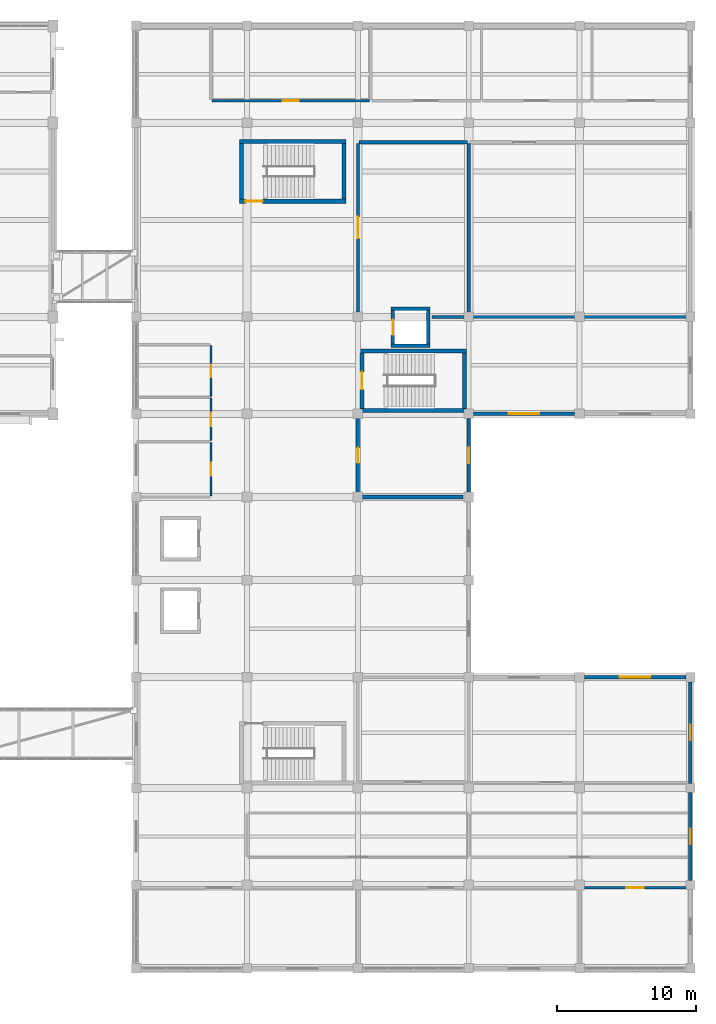
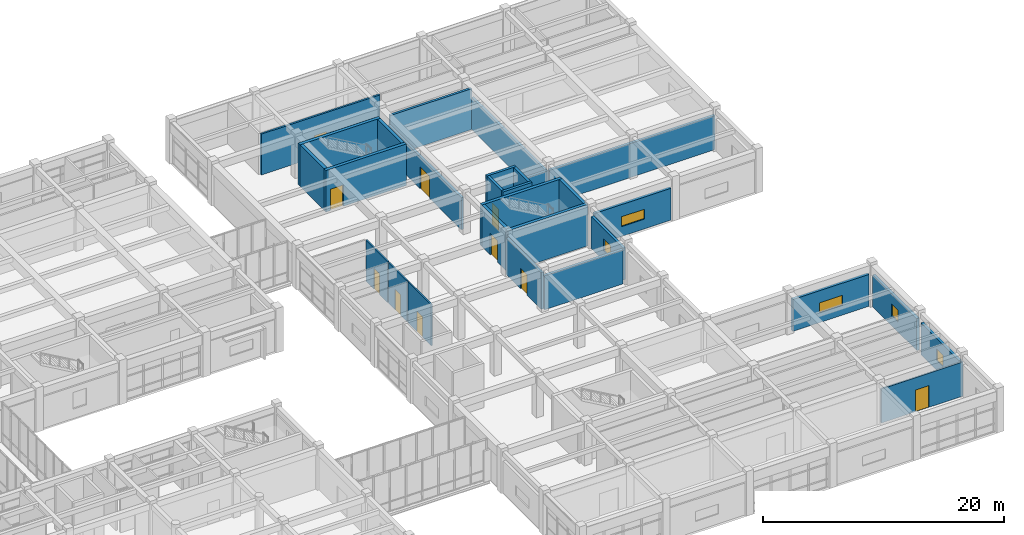
# One storey, part 56 of 72: 29 walls, 10 doors, 5 windows, 15 openings.
"""IFC4 building model written with IfcOpenShell, lengths in metres."""

from ifc_helpers import new_model, si_unit, direction, frame, frame_2d, origin, place, context, subcontext, project, spatial, rectangle, extrude, material, layer, layer_set, type_object, element, fill, save


model = new_model("IFC4")

# Units and contexts
model_context = context("Model", 3, precision=1e-05, world=origin(), true_north=direction((0.0, 1.0)))
body_context = subcontext(model_context, "Body", "Model", "MODEL_VIEW")
ifc_project = project(units=[si_unit("LENGTHUNIT", "METRE"), si_unit("AREAUNIT", "SQUARE_METRE"), si_unit("VOLUMEUNIT", "CUBIC_METRE"), si_unit("PLANEANGLEUNIT", "RADIAN"), si_unit("MASSUNIT", "GRAM", prefix="KILO")], contexts=[model_context])

# Site, building, storey
site_placement = place(None, origin())
site = spatial("IfcSite", under=ifc_project, at=site_placement, CompositionType="ELEMENT")
building_placement = place(site_placement, origin())
building = spatial("IfcBuilding", under=site, at=building_placement, Name="Naurynzar Civic Courthouse", CompositionType="ELEMENT")
storey_placement = place(building_placement, frame((0.0, 0.0, 9.89990234375)))
storey = spatial("IfcBuildingStorey", under=building, at=storey_placement, Name="L03", CompositionType="ELEMENT", Elevation=9.89990234375)

# Walls
ifc_material_1 = material(Name="Acoustic Double-Stud Gypsum Partition")
ifc_layer_1 = layer(ifc_material_1, 0.22998046875)
ifc_layer_set_1 = layer_set([ifc_layer_1], Name="WL-ACOUSTIC-230")
wall_type_1 = type_object("IfcWallType", Name="WL-ACOUSTIC-230", PredefinedType="PARTITIONING", material=ifc_layer_set_1)
wall_1_placement = place(storey_placement, frame((151.35009765625, 51.0, 0.0), z_axis=(0.0, 0.0, 1.0), x_axis=(1.0, 0.0, 0.0)))
element("IfcWall", 1, at=wall_1_placement, inside=storey, type_object=wall_type_1, Name="V5 interior partition L03.358", PredefinedType="PARTITIONING", context=body_context, shape_type="SweptSolid", body=[
    extrude(rectangle(XDim=2.56982421875, YDim=0.22998046875, at=frame_2d((1.284912109375, 0.0))), origin(), (0.0, 0.0, 1.0), 3.4501953125),
])
wall_2_placement = place(storey_placement, frame((146.080078125, 63.60009765625, 0.0), z_axis=(0.0, 0.0, 1.0), x_axis=(1.0, 0.0, 0.0)))
element("IfcWall", 2, at=wall_2_placement, inside=storey, type_object=wall_type_1, Name="V5 interior partition L03.360", PredefinedType="PARTITIONING", context=body_context, shape_type="SweptSolid", body=[
    extrude(rectangle(XDim=7.83984375, YDim=0.22998046875, at=frame_2d((3.919921875, 0.0))), origin(), (0.0, 0.0, 1.0), 4.14013671875),
])

# Wall, opening, door
wall_3_placement = place(storey_placement, frame((146.0, 51.35009765625, 0.0), z_axis=(0.0, 0.0, 1.0), x_axis=(0.0, 1.0, 0.0)))
wall_3 = element("IfcWall", 3, at=wall_3_placement, inside=storey, type_object=wall_type_1, Name="V5 interior partition L03.429", PredefinedType="PARTITIONING", context=body_context, shape_type="SweptSolid", body=[
    extrude(rectangle(XDim=12.169921875, YDim=0.22998046875, at=frame_2d((6.0849609375, 0.0))), origin(), (0.0, 0.0, 1.0), 3.25),
])
opening_1_placement = place(wall_3_placement, frame((5.31005859375, 0.0, 0.0)))
opening_1 = element("IfcOpeningElement", 4, at=opening_1_placement, cuts=wall_3, Name="Opening D-313", PredefinedType="OPENING", context=body_context, shape_type="SweptSolid", body=[
    extrude(rectangle(XDim=1.550048828125, YDim=2.25, at=frame_2d((0.77490234375, 1.125))), frame((0.0, 0.125, 0.0), z_axis=(0.0, -1.0, 0.0), x_axis=(1.0, 0.0, 0.0)), (0.0, 0.0, 1.0), 0.25),
])
ifc_material_2 = material(Name="Acoustic Oak Timber Grade A", Category="wood")
door_type_1 = type_object("IfcDoorType", Name="DR-SUITE-1550x2250", OperationType="DOUBLE_DOOR_SINGLE_SWING", PredefinedType="DOOR", material=ifc_material_2)
door_1_placement = place(opening_1_placement, origin())
door_1 = element("IfcDoor", 5, at=door_1_placement, inside=storey, type_object=door_type_1, Name="Interior door D-313 (Criminal Trial Courtroom L03-N1)", OperationType="DOUBLE_DOOR_SINGLE_SWING", OverallHeight=2.25, OverallWidth=1.550048828125, PredefinedType="DOOR", context=body_context, shape_type="SweptSolid", body=[
    extrude(rectangle(XDim=1.550048828125, YDim=2.25, at=frame_2d((0.77490234375, 1.125))), frame((0.0, 0.02490234375, 0.0), z_axis=(0.0, -1.0, 0.0), x_axis=(1.0, 0.0, 0.0)), (0.0, 0.0, 1.0), 0.050048828125),
])
fill(opening_1, door_1)

# Walls
ifc_material_3 = material(Name="Acoustic Double-Stud Gypsum Partition")
ifc_layer_2 = layer(ifc_material_3, 0.235107421875)
ifc_layer_set_2 = layer_set([ifc_layer_2], Name="WL-ACOUSTIC-235")
wall_type_2 = type_object("IfcWallType", Name="WL-ACOUSTIC-235", PredefinedType="PARTITIONING", material=ifc_layer_set_2)
wall_4_placement = place(storey_placement, frame((154.080078125, 51.0, 0.0), z_axis=(0.0, 0.0, 1.0), x_axis=(1.0, 0.0, 0.0)))
element("IfcWall", 6, at=wall_4_placement, inside=storey, type_object=wall_type_2, Name="V5 interior partition L03.359", PredefinedType="PARTITIONING", context=body_context, shape_type="SweptSolid", body=[
    extrude(rectangle(XDim=15.83984375, YDim=0.235107421875, at=frame_2d((7.919921875, 0.0))), origin(), (0.0, 0.0, 1.0), 3.4501953125),
])
wall_5_placement = place(storey_placement, frame((154.0, 51.080078125, 0.0), z_axis=(0.0, 0.0, 1.0), x_axis=(0.0, 1.0, 0.0)))
element("IfcWall", 7, at=wall_5_placement, inside=storey, type_object=wall_type_2, Name="V5 interior partition L03.433", PredefinedType="PARTITIONING", context=body_context, shape_type="SweptSolid", body=[
    extrude(rectangle(XDim=12.43994140625, YDim=0.235107421875, at=frame_2d((6.219970703125, 0.0))), origin(), (0.0, 0.0, 1.0), 3.25),
])
ifc_material_4 = material(Name="Concrete C40/50", Category="concrete")
ifc_layer_3 = layer(ifc_material_4, 0.300048828125)
ifc_layer_set_3 = layer_set([ifc_layer_3], Name="WL-CORE-300")
wall_type_3 = type_object("IfcWallType", Name="WL-CORE-300", PredefinedType="SHEAR", material=ifc_layer_set_3)
wall_6_placement = place(storey_placement, frame((145.14990234375, 63.64990234375, 0.0), z_axis=(0.0, 0.0, 1.0), x_axis=(-1.0, 0.0, 0.0)))
element("IfcWall", 8, at=wall_6_placement, inside=storey, type_object=wall_type_3, Name="Stair ST-V5B enclosure wall north L03", PredefinedType="SHEAR", context=body_context, shape_type="SweptSolid", body=[
    extrude(rectangle(XDim=7.699951171875, YDim=0.300048828125, at=frame_2d((3.85009765625, 0.0))), origin(), (0.0, 0.0, 1.0), 4.2001953125),
])

# Wall, opening, door
wall_7_placement = place(storey_placement, frame((137.449951171875, 59.35009765625, 0.0), z_axis=(0.0, 0.0, 1.0), x_axis=(1.0, 0.0, 0.0)))
wall_7 = element("IfcWall", 9, at=wall_7_placement, inside=storey, type_object=wall_type_3, Name="Stair ST-V5B enclosure wall south L03", PredefinedType="SHEAR", context=body_context, shape_type="SweptSolid", body=[
    extrude(rectangle(XDim=7.699951171875, YDim=0.300048828125, at=frame_2d((3.85009765625, 0.0))), origin(), (0.0, 0.0, 1.0), 4.2001953125),
])
opening_2_placement = place(wall_7_placement, frame((0.425048828125, 0.0, 0.0)))
opening_2 = element("IfcOpeningElement", 10, at=opening_2_placement, cuts=wall_7, Name="Opening SD-071", PredefinedType="OPENING", context=body_context, shape_type="SweptSolid", body=[
    extrude(rectangle(XDim=1.25, YDim=2.14990234375, at=frame_2d((0.625, 1.074951171875))), frame((0.0, 0.159912109375, 0.0), z_axis=(0.0, -1.0, 0.0), x_axis=(1.0, 0.0, 0.0)), (0.0, 0.0, 1.0), 0.320068359375),
])
ifc_material_5 = material(Name="Powder-Coated Galvanised Steel", Category="steel")
door_type_2 = type_object("IfcDoorType", Name="DR-STAIR-1250x2150", OperationType="NOTDEFINED", PredefinedType="DOOR", material=ifc_material_5)
door_2_placement = place(opening_2_placement, origin())
door_2 = element("IfcDoor", 11, at=door_2_placement, inside=storey, type_object=door_type_2, Name="Stair ST-V5B fire door L03", OperationType="SINGLE_SWING_LEFT", OverallHeight=2.14990234375, OverallWidth=1.25, PredefinedType="DOOR", context=body_context, shape_type="SweptSolid", body=[
    extrude(rectangle(XDim=1.25, YDim=2.14990234375, at=frame_2d((0.625, 1.074951171875))), frame((0.0, 0.02490234375, 0.0), z_axis=(0.0, -1.0, 0.0), x_axis=(1.0, 0.0, 0.0)), (0.0, 0.0, 1.0), 0.050048828125),
])
fill(opening_2, door_2)

# Walls
for number, where, z_axis, x_axis, name in (
    (12, (137.60009765625, 63.4951171875, 0.0), (0.0, 0.0, 1.0), (0.0, -1.0, 0.0), "Stair ST-V5B enclosure wall west L03"),
    (13, (145.0, 59.5048828125, 0.0), (0.0, 0.0, 1.0), (0.0, 1.0, 0.0), "Stair ST-V5B enclosure wall east L03"),
):
    element("IfcWall", number, at=place(storey_placement, frame(where, z_axis=z_axis, x_axis=x_axis)), inside=storey, type_object=wall_type_3, Name=name, PredefinedType="SHEAR", context=body_context, shape_type="SweptSolid", body=[
        extrude(rectangle(XDim=3.990234375, YDim=0.300048828125, at=frame_2d((1.9951171875, 0.0))), origin(), (0.0, 0.0, 1.0), 4.2001953125),
    ])
for number, where, z_axis, x_axis, name in (
    (14, (153.85009765625, 48.550048828125, 0.0), (0.0, 0.0, 1.0), (-1.0, 0.0, 0.0), "Stair ST-CUS enclosure wall north L03"),
    (15, (146.14990234375, 44.25, 0.0), (0.0, 0.0, 1.0), (1.0, 0.0, 0.0), "Stair ST-CUS enclosure wall south L03"),
):
    element("IfcWall", number, at=place(storey_placement, frame(where, z_axis=z_axis, x_axis=x_axis)), inside=storey, type_object=wall_type_3, Name=name, PredefinedType="SHEAR", context=body_context, shape_type="SweptSolid", body=[
        extrude(rectangle(XDim=7.7001953125, YDim=0.300048828125, at=frame_2d((3.85009765625, 0.0))), origin(), (0.0, 0.0, 1.0), 4.2001953125),
    ])

# Wall, opening, door
wall_8_placement = place(storey_placement, frame((146.300048828125, 48.39501953125, 0.0), z_axis=(0.0, 0.0, 1.0), x_axis=(0.0, -1.0, 0.0)))
wall_8 = element("IfcWall", 16, at=wall_8_placement, inside=storey, type_object=wall_type_3, Name="Stair ST-CUS enclosure wall west L03", PredefinedType="SHEAR", context=body_context, shape_type="SweptSolid", body=[
    extrude(rectangle(XDim=3.989990234375, YDim=0.300048828125, at=frame_2d((1.9951171875, 0.0))), origin(), (0.0, 0.0, 1.0), 4.2001953125),
])
opening_3_placement = place(wall_8_placement, frame((1.3701171875, 0.0, 0.0)))
opening_3 = element("IfcOpeningElement", 17, at=opening_3_placement, cuts=wall_8, Name="Opening SD-080", PredefinedType="OPENING", context=body_context, shape_type="SweptSolid", body=[
    extrude(rectangle(XDim=1.25, YDim=2.14990234375, at=frame_2d((0.625, 1.074951171875))), frame((0.0, 0.159912109375, 0.0), z_axis=(0.0, -1.0, 0.0), x_axis=(1.0, 0.0, 0.0)), (0.0, 0.0, 1.0), 0.320068359375),
])
door_3_placement = place(opening_3_placement, origin())
door_3 = element("IfcDoor", 18, at=door_3_placement, inside=storey, type_object=door_type_2, Name="Stair ST-CUS fire door L03", OperationType="SINGLE_SWING_RIGHT", OverallHeight=2.14990234375, OverallWidth=1.25, PredefinedType="DOOR", context=body_context, shape_type="SweptSolid", body=[
    extrude(rectangle(XDim=1.25, YDim=2.14990234375, at=frame_2d((0.625, 1.074951171875))), frame((0.0, 0.02490234375, 0.0), z_axis=(0.0, -1.0, 0.0), x_axis=(1.0, 0.0, 0.0)), (0.0, 0.0, 1.0), 0.050048828125),
])
fill(opening_3, door_3)

# Walls
wall_9_placement = place(storey_placement, frame((153.699951171875, 44.405029296875, 0.0), z_axis=(0.0, 0.0, 1.0), x_axis=(0.0, 1.0, 0.0)))
element("IfcWall", 19, at=wall_9_placement, inside=storey, type_object=wall_type_3, Name="Stair ST-CUS enclosure wall east L03", PredefinedType="SHEAR", context=body_context, shape_type="SweptSolid", body=[
    extrude(rectangle(XDim=3.989990234375, YDim=0.300048828125, at=frame_2d((1.9951171875, 0.0))), origin(), (0.0, 0.0, 1.0), 4.2001953125),
])
ifc_material_6 = material(Name="Concrete C40/50", Category="concrete")
ifc_layer_4 = layer(ifc_material_6, 0.260009765625)
ifc_layer_set_4 = layer_set([ifc_layer_4], Name="WL-CUS-260")
wall_type_4 = type_object("IfcWallType", Name="WL-CUS-260", PredefinedType="SOLIDWALL", material=ifc_layer_set_4)
wall_10_placement = place(storey_placement, frame((146.080078125, 38.0, 0.0), z_axis=(0.0, 0.0, 1.0), x_axis=(1.0, 0.0, 0.0)))
element("IfcWall", 20, at=wall_10_placement, inside=storey, type_object=wall_type_4, Name="V5 interior partition L03.339", PredefinedType="SOLIDWALL", context=body_context, shape_type="SweptSolid", body=[
    extrude(rectangle(XDim=7.52001953125, YDim=0.260009765625, at=frame_2d((3.760009765625, 0.0))), origin(), (0.0, 0.0, 1.0), 3.4501953125),
])

# Wall, opening, door
wall_11_placement = place(storey_placement, frame((146.0, 38.080078125, 0.0), z_axis=(0.0, 0.0, 1.0), x_axis=(0.0, 1.0, 0.0)))
wall_11 = element("IfcWall", 21, at=wall_11_placement, inside=storey, type_object=wall_type_4, Name="V5 interior partition L03.428", PredefinedType="SOLIDWALL", context=body_context, shape_type="SweptSolid", body=[
    extrude(rectangle(XDim=5.83984375, YDim=0.260009765625, at=frame_2d((2.919921875, 0.0))), origin(), (0.0, 0.0, 1.0), 3.7001953125),
])
opening_4_placement = place(wall_11_placement, frame((2.3798828125, 0.0, 0.0)))
opening_4 = element("IfcOpeningElement", 22, at=opening_4_placement, cuts=wall_11, Name="Opening D-312", PredefinedType="OPENING", context=body_context, shape_type="SweptSolid", body=[
    extrude(rectangle(XDim=1.080078125, YDim=2.10009765625, at=frame_2d((0.5400390625, 1.050048828125))), frame((0.0, 0.139892578125, 0.0), z_axis=(0.0, -1.0, 0.0), x_axis=(1.0, 0.0, 0.0)), (0.0, 0.0, 1.0), 0.280029296875),
])
ifc_material_7 = material(Name="Powder-Coated Galvanised Steel", Category="steel")
door_type_3 = type_object("IfcDoorType", Name="DR-CUS-CELL-1080x2100", OperationType="NOTDEFINED", PredefinedType="DOOR", material=ifc_material_7)
door_4_placement = place(opening_4_placement, origin())
door_4 = element("IfcDoor", 23, at=door_4_placement, inside=storey, type_object=door_type_3, Name="Interior door D-312 (Custody Suite Courtroom Dock L03)", OperationType="SINGLE_SWING_RIGHT", OverallHeight=2.10009765625, OverallWidth=1.080078125, PredefinedType="DOOR", context=body_context, shape_type="SweptSolid", body=[
    extrude(rectangle(XDim=1.080078125, YDim=2.10009765625, at=frame_2d((0.5400390625, 1.050048828125))), frame((0.0, 0.02490234375, 0.0), z_axis=(0.0, -1.0, 0.0), x_axis=(1.0, 0.0, 0.0)), (0.0, 0.0, 1.0), 0.050048828125),
])
fill(opening_4, door_4)

# Wall, opening, window
ifc_material_8 = material(Name="Precast concrete C40/50", Category="concrete")
ifc_layer_5 = layer(ifc_material_8, 0.260009765625)
ifc_layer_set_5 = layer_set([ifc_layer_5], Name="WL-EXT-260")
wall_type_5 = type_object("IfcWallType", Name="WL-EXT-260", PredefinedType="SOLIDWALL", material=ifc_layer_set_5)
wall_12_placement = place(storey_placement, frame((161.64990234375, 44.0, 0.0), z_axis=(0.0, 0.0, 1.0), x_axis=(-1.0, 0.0, 0.0)))
wall_12 = element("IfcWall", 24, at=wall_12_placement, inside=storey, type_object=wall_type_5, Name="V5 exterior wall notch_n L03.2.1", PredefinedType="SOLIDWALL", context=body_context, shape_type="SweptSolid", body=[
    extrude(rectangle(XDim=7.2998046875, YDim=0.260009765625, at=frame_2d((3.64990234375, 0.0))), origin(), (0.0, 0.0, 1.0), 3.22998046875),
])
opening_5_placement = place(wall_12_placement, frame((2.550048828125, 0.0, 1.0)))
opening_5 = element("IfcOpeningElement", 25, at=opening_5_placement, cuts=wall_12, Name="Opening WN-18", PredefinedType="OPENING", context=body_context, shape_type="SweptSolid", body=[
    extrude(rectangle(XDim=2.199951171875, YDim=1.0, at=frame_2d((1.10009765625, 0.5))), frame((0.0, 0.139892578125, 0.0), z_axis=(0.0, -1.0, 0.0), x_axis=(1.0, 0.0, 0.0)), (0.0, 0.0, 1.0), 0.280029296875),
])
ifc_material_9 = material(Name="Tempered Laminated Low-E Glass", Category="glass")
window_type_1 = type_object("IfcWindowType", Name="WIN-CLER-2200x1000", PartitioningType="DOUBLE_PANEL_VERTICAL", PredefinedType="WINDOW", material=ifc_material_9)
window_1_placement = place(opening_5_placement, origin())
window_1 = element("IfcWindow", 26, at=window_1_placement, inside=storey, type_object=window_type_1, Name="V5 window 289 L03", OverallHeight=1.0, OverallWidth=2.199951171875, PartitioningType="SINGLE_PANEL", PredefinedType="WINDOW", context=body_context, shape_type="SweptSolid", body=[
    extrude(rectangle(XDim=2.199951171875, YDim=1.0, at=frame_2d((1.10009765625, 0.5))), frame((0.0, 0.030029296875, 0.0), z_axis=(0.0, -1.0, 0.0), x_axis=(1.0, 0.0, 0.0)), (0.0, 0.0, 1.0), 0.06005859375),
])
fill(opening_5, window_1)

wall_13_placement = place(storey_placement, frame((154.0, 43.64990234375, 0.0), z_axis=(0.0, 0.0, 1.0), x_axis=(0.0, -1.0, 0.0)))
wall_13 = element("IfcWall", 27, at=wall_13_placement, inside=storey, type_object=wall_type_5, Name="V5 exterior wall notch_w L03.1.1", PredefinedType="SOLIDWALL", context=body_context, shape_type="SweptSolid", body=[
    extrude(rectangle(XDim=5.2998046875, YDim=0.260009765625, at=frame_2d((2.64990234375, 0.0))), origin(), (0.0, 0.0, 1.0), 3.22998046875),
])
opening_6_placement = place(wall_13_placement, frame((2.10009765625, 0.0, 1.0)))
opening_6 = element("IfcOpeningElement", 28, at=opening_6_placement, cuts=wall_13, Name="Opening WN-15", PredefinedType="OPENING", context=body_context, shape_type="SweptSolid", body=[
    extrude(rectangle(XDim=1.10009765625, YDim=1.199951171875, at=frame_2d((0.550048828125, 0.60009765625))), frame((0.0, 0.139892578125, 0.0), z_axis=(0.0, -1.0, 0.0), x_axis=(1.0, 0.0, 0.0)), (0.0, 0.0, 1.0), 0.280029296875),
])
ifc_material_10 = material(Name="Tempered Laminated Low-E Glass", Category="glass")
window_type_2 = type_object("IfcWindowType", Name="WIN-SEC-1100x1200", PartitioningType="SINGLE_PANEL", PredefinedType="WINDOW", material=ifc_material_10)
window_2_placement = place(opening_6_placement, origin())
window_2 = element("IfcWindow", 29, at=window_2_placement, inside=storey, type_object=window_type_2, Name="V5 window 290 L03", OverallHeight=1.199951171875, OverallWidth=1.10009765625, PartitioningType="SINGLE_PANEL", PredefinedType="WINDOW", context=body_context, shape_type="SweptSolid", body=[
    extrude(rectangle(XDim=1.10009765625, YDim=1.199951171875, at=frame_2d((0.550048828125, 0.60009765625))), frame((0.0, 0.030029296875, 0.0), z_axis=(0.0, -1.0, 0.0), x_axis=(1.0, 0.0, 0.0)), (0.0, 0.0, 1.0), 0.06005859375),
])
fill(opening_6, window_2)

wall_14_placement = place(storey_placement, frame((162.35009765625, 25.0, 0.0), z_axis=(0.0, 0.0, 1.0), x_axis=(1.0, 0.0, 0.0)))
wall_14 = element("IfcWall", 30, at=wall_14_placement, inside=storey, type_object=wall_type_5, Name="V5 exterior wall notch_s L03.2.1", PredefinedType="SOLIDWALL", context=body_context, shape_type="SweptSolid", body=[
    extrude(rectangle(XDim=7.3125, YDim=0.260009765625, at=frame_2d((3.65625, 0.0))), origin(), (0.0, 0.0, 1.0), 3.22998046875),
])
opening_7_placement = place(wall_14_placement, frame((2.55615234375, 0.0, 1.0)))
opening_7 = element("IfcOpeningElement", 31, at=opening_7_placement, cuts=wall_14, Name="Opening WN-18", PredefinedType="OPENING", context=body_context, shape_type="SweptSolid", body=[
    extrude(rectangle(XDim=2.199951171875, YDim=1.0, at=frame_2d((1.10009765625, 0.5))), frame((0.0, 0.139892578125, 0.0), z_axis=(0.0, -1.0, 0.0), x_axis=(1.0, 0.0, 0.0)), (0.0, 0.0, 1.0), 0.280029296875),
])
window_3_placement = place(opening_7_placement, origin())
window_3 = element("IfcWindow", 32, at=window_3_placement, inside=storey, type_object=window_type_1, Name="V5 window 294 L03", OverallHeight=1.0, OverallWidth=2.199951171875, PartitioningType="SINGLE_PANEL", PredefinedType="WINDOW", context=body_context, shape_type="SweptSolid", body=[
    extrude(rectangle(XDim=2.199951171875, YDim=1.0, at=frame_2d((1.10009765625, 0.5))), frame((0.0, 0.030029296875, 0.0), z_axis=(0.0, -1.0, 0.0), x_axis=(1.0, 0.0, 0.0)), (0.0, 0.0, 1.0), 0.06005859375),
])
fill(opening_7, window_3)

wall_15_placement = place(storey_placement, frame((170.0, 24.66259765625, 0.0), z_axis=(0.0, 0.0, 1.0), x_axis=(0.0, -1.0, 0.0)))
wall_15 = element("IfcWall", 33, at=wall_15_placement, inside=storey, type_object=wall_type_5, Name="V5 exterior wall east_south L03.1.1", PredefinedType="SOLIDWALL", context=body_context, shape_type="SweptSolid", body=[
    extrude(rectangle(XDim=7.3251953125, YDim=0.260009765625, at=frame_2d((3.66259765625, 0.0))), origin(), (0.0, 0.0, 1.0), 3.22998046875),
])
opening_8_placement = place(wall_15_placement, frame((3.112548828125, 0.0, 1.0)))
opening_8 = element("IfcOpeningElement", 34, at=opening_8_placement, cuts=wall_15, Name="Opening WN-15", PredefinedType="OPENING", context=body_context, shape_type="SweptSolid", body=[
    extrude(rectangle(XDim=1.10009765625, YDim=1.199951171875, at=frame_2d((0.550048828125, 0.60009765625))), frame((0.0, 0.139892578125, 0.0), z_axis=(0.0, -1.0, 0.0), x_axis=(1.0, 0.0, 0.0)), (0.0, 0.0, 1.0), 0.280029296875),
])
window_4_placement = place(opening_8_placement, origin())
window_4 = element("IfcWindow", 35, at=window_4_placement, inside=storey, type_object=window_type_2, Name="V5 window 295 L03", OverallHeight=1.199951171875, OverallWidth=1.10009765625, PartitioningType="SINGLE_PANEL", PredefinedType="WINDOW", context=body_context, shape_type="SweptSolid", body=[
    extrude(rectangle(XDim=1.10009765625, YDim=1.199951171875, at=frame_2d((0.550048828125, 0.60009765625))), frame((0.0, 0.030029296875, 0.0), z_axis=(0.0, -1.0, 0.0), x_axis=(1.0, 0.0, 0.0)), (0.0, 0.0, 1.0), 0.06005859375),
])
fill(opening_8, window_4)

wall_16_placement = place(storey_placement, frame((170.0, 16.66259765625, 0.0), z_axis=(0.0, 0.0, 1.0), x_axis=(0.0, -1.0, 0.0)))
wall_16 = element("IfcWall", 36, at=wall_16_placement, inside=storey, type_object=wall_type_5, Name="V5 exterior wall east_south L03.2.1", PredefinedType="SOLIDWALL", context=body_context, shape_type="SweptSolid", body=[
    extrude(rectangle(XDim=6.3251953125, YDim=0.260009765625, at=frame_2d((3.16259765625, 0.0))), origin(), (0.0, 0.0, 1.0), 3.22998046875),
])
opening_9_placement = place(wall_16_placement, frame((2.612548828125, 0.0, 1.0)))
opening_9 = element("IfcOpeningElement", 37, at=opening_9_placement, cuts=wall_16, Name="Opening WN-15", PredefinedType="OPENING", context=body_context, shape_type="SweptSolid", body=[
    extrude(rectangle(XDim=1.10009765625, YDim=1.199951171875, at=frame_2d((0.550048828125, 0.60009765625))), frame((0.0, 0.139892578125, 0.0), z_axis=(0.0, -1.0, 0.0), x_axis=(1.0, 0.0, 0.0)), (0.0, 0.0, 1.0), 0.280029296875),
])
window_5_placement = place(opening_9_placement, origin())
window_5 = element("IfcWindow", 38, at=window_5_placement, inside=storey, type_object=window_type_2, Name="V5 window 296 L03", OverallHeight=1.199951171875, OverallWidth=1.10009765625, PartitioningType="SINGLE_PANEL", PredefinedType="WINDOW", context=body_context, shape_type="SweptSolid", body=[
    extrude(rectangle(XDim=1.10009765625, YDim=1.199951171875, at=frame_2d((0.550048828125, 0.60009765625))), frame((0.0, 0.030029296875, 0.0), z_axis=(0.0, -1.0, 0.0), x_axis=(1.0, 0.0, 0.0)), (0.0, 0.0, 1.0), 0.06005859375),
])
fill(opening_9, window_5)

# Wall, opening, door
ifc_material_11 = material(Name="Fire-Rated Corridor Gypsum Partition")
ifc_layer_6 = layer(ifc_material_11, 0.14990234375)
ifc_layer_set_6 = layer_set([ifc_layer_6], Name="WL-PART-CORR-150")
wall_type_6 = type_object("IfcWallType", Name="WL-PART-CORR-150", PredefinedType="PARTITIONING", material=ifc_layer_set_6)
wall_17_placement = place(storey_placement, frame((162.080078125, 9.800048828125, 0.0), z_axis=(0.0, 0.0, 1.0), x_axis=(1.0, 0.0, 0.0)))
wall_17 = element("IfcWall", 39, at=wall_17_placement, inside=storey, type_object=wall_type_6, Name="V5 interior partition L03.312", PredefinedType="PARTITIONING", context=body_context, shape_type="SweptSolid", body=[
    extrude(rectangle(XDim=7.83984375, YDim=0.14990234375, at=frame_2d((3.919921875, 0.0))), origin(), (0.0, 0.0, 1.0), 3.4501953125),
])
opening_10_placement = place(wall_17_placement, frame((3.280029296875, 0.0, 0.0)))
opening_10 = element("IfcOpeningElement", 40, at=opening_10_placement, cuts=wall_17, Name="Opening D-307", PredefinedType="OPENING", context=body_context, shape_type="SweptSolid", body=[
    extrude(rectangle(XDim=1.280029296875, YDim=2.199951171875, at=frame_2d((0.64013671875, 1.10009765625))), frame((0.0, 0.0849609375, 0.0), z_axis=(0.0, -1.0, 0.0), x_axis=(1.0, 0.0, 0.0)), (0.0, 0.0, 1.0), 0.169921875),
])
ifc_material_12 = material(Name="Acoustic Oak Timber Grade A", Category="wood")
door_type_4 = type_object("IfcDoorType", Name="DR-SUITE-1280x2200", OperationType="NOTDEFINED", PredefinedType="DOOR", material=ifc_material_12)
door_5_placement = place(opening_10_placement, origin())
door_5 = element("IfcDoor", 41, at=door_5_placement, inside=storey, type_object=door_type_4, Name="Interior door D-307 (Counsel Consultation Room L03-SE)", OperationType="SINGLE_SWING_LEFT", OverallHeight=2.199951171875, OverallWidth=1.280029296875, PredefinedType="DOOR", context=body_context, shape_type="SweptSolid", body=[
    extrude(rectangle(XDim=1.280029296875, YDim=2.199951171875, at=frame_2d((0.64013671875, 1.10009765625))), frame((0.0, 0.02490234375, 0.0), z_axis=(0.0, -1.0, 0.0), x_axis=(1.0, 0.0, 0.0)), (0.0, 0.0, 1.0), 0.050048828125),
])
fill(opening_10, door_5)

ifc_material_13 = material(Name="Acoustic Double-Stud Gypsum Partition")
ifc_layer_7 = layer(ifc_material_13, 0.179931640625)
ifc_layer_set_7 = layer_set([ifc_layer_7], Name="WL-PART-JURY-180")
wall_type_7 = type_object("IfcWallType", Name="WL-PART-JURY-180", PredefinedType="PARTITIONING", material=ifc_layer_set_7)
wall_18_placement = place(storey_placement, frame((135.47998046875, 66.60009765625, 0.0), z_axis=(0.0, 0.0, 1.0), x_axis=(1.0, 0.0, 0.0)))
wall_18 = element("IfcWall", 42, at=wall_18_placement, inside=storey, type_object=wall_type_7, Name="V5 interior partition L03.368", PredefinedType="PARTITIONING", context=body_context, shape_type="SweptSolid", body=[
    extrude(rectangle(XDim=11.3701171875, YDim=0.179931640625, at=frame_2d((5.68505859375, 0.0))), origin(), (0.0, 0.0, 1.0), 4.14013671875),
])
opening_11_placement = place(wall_18_placement, frame((5.110107421875, 0.0, 0.0)))
opening_11 = element("IfcOpeningElement", 43, at=opening_11_placement, cuts=wall_18, Name="Opening D-315", PredefinedType="OPENING", context=body_context, shape_type="SweptSolid", body=[
    extrude(rectangle(XDim=1.14990234375, YDim=2.199951171875, at=frame_2d((0.574951171875, 1.10009765625))), frame((0.0, 0.099853515625, 0.0), z_axis=(0.0, -1.0, 0.0), x_axis=(1.0, 0.0, 0.0)), (0.0, 0.0, 1.0), 0.199951171875),
])
ifc_material_14 = material(Name="Acoustic Oak Timber Grade A", Category="wood")
door_type_5 = type_object("IfcDoorType", Name="DR-JURY-1150x2200", OperationType="NOTDEFINED", PredefinedType="DOOR", material=ifc_material_14)
door_6_placement = place(opening_11_placement, origin())
door_6 = element("IfcDoor", 44, at=door_6_placement, inside=storey, type_object=door_type_5, Name="Interior door D-315 (Jury Room L03-N)", OperationType="SINGLE_SWING_LEFT", OverallHeight=2.199951171875, OverallWidth=1.14990234375, PredefinedType="DOOR", context=body_context, shape_type="SweptSolid", body=[
    extrude(rectangle(XDim=1.14990234375, YDim=2.199951171875, at=frame_2d((0.574951171875, 1.10009765625))), frame((0.0, 0.02490234375, 0.0), z_axis=(0.0, -1.0, 0.0), x_axis=(1.0, 0.0, 0.0)), (0.0, 0.0, 1.0), 0.050048828125),
])
fill(opening_11, door_6)

ifc_material_15 = material(Name="Moisture-Resistant Plumbing Partition")
ifc_layer_8 = layer(ifc_material_15, 0.139892578125)
ifc_layer_set_8 = layer_set([ifc_layer_8], Name="WL-PART-WC-140")
wall_type_8 = type_object("IfcWallType", Name="WL-PART-WC-140", PredefinedType="PLUMBINGWALL", material=ifc_layer_set_8)
wall_19_placement = place(storey_placement, frame((135.39990234375, 38.080078125, 0.0), z_axis=(0.0, 0.0, 1.0), x_axis=(0.0, 1.0, 0.0)))
wall_19 = element("IfcWall", 45, at=wall_19_placement, inside=storey, type_object=wall_type_8, Name="V5 interior partition L03.421", PredefinedType="PLUMBINGWALL", context=body_context, shape_type="SweptSolid", body=[
    extrude(rectangle(XDim=3.83984375, YDim=0.139892578125, at=frame_2d((1.919921875, 0.0))), origin(), (0.0, 0.0, 1.0), 4.14013671875),
])
opening_12_placement = place(wall_19_placement, frame((1.4599609375, 0.0, 0.0)))
opening_12 = element("IfcOpeningElement", 46, at=opening_12_placement, cuts=wall_19, Name="Opening D-302", PredefinedType="OPENING", context=body_context, shape_type="SweptSolid", body=[
    extrude(rectangle(XDim=0.919921875, YDim=2.10009765625, at=frame_2d((0.4599609375, 1.050048828125))), frame((0.0, 0.079833984375, 0.0), z_axis=(0.0, -1.0, 0.0), x_axis=(1.0, 0.0, 0.0)), (0.0, 0.0, 1.0), 0.159912109375),
])
ifc_material_16 = material(Name="Acoustic Oak Timber Grade A", Category="wood")
door_type_6 = type_object("IfcDoorType", Name="DR-WC-STD-920x2100", OperationType="NOTDEFINED", PredefinedType="DOOR", material=ifc_material_16)
door_7_placement = place(opening_12_placement, origin())
door_7 = element("IfcDoor", 47, at=door_7_placement, inside=storey, type_object=door_type_6, Name="Interior door D-302 (Public WC V5)", OperationType="SINGLE_SWING_RIGHT", OverallHeight=2.10009765625, OverallWidth=0.919921875, PredefinedType="DOOR", context=body_context, shape_type="SweptSolid", body=[
    extrude(rectangle(XDim=0.919921875, YDim=2.10009765625, at=frame_2d((0.4599609375, 1.050048828125))), frame((0.0, 0.02490234375, 0.0), z_axis=(0.0, -1.0, 0.0), x_axis=(1.0, 0.0, 0.0)), (0.0, 0.0, 1.0), 0.050048828125),
])
fill(opening_12, door_7)

wall_20_placement = place(storey_placement, frame((135.39990234375, 42.080078125, 0.0), z_axis=(0.0, 0.0, 1.0), x_axis=(0.0, 1.0, 0.0)))
wall_20 = element("IfcWall", 48, at=wall_20_placement, inside=storey, type_object=wall_type_8, Name="V5 interior partition L03.422", PredefinedType="PLUMBINGWALL", context=body_context, shape_type="SweptSolid", body=[
    extrude(rectangle(XDim=3.0400390625, YDim=0.139892578125, at=frame_2d((1.52001953125, 0.0))), origin(), (0.0, 0.0, 1.0), 4.14013671875),
])
opening_13_placement = place(wall_20_placement, frame((1.0400390625, 0.0, 0.0)))
opening_13 = element("IfcOpeningElement", 49, at=opening_13_placement, cuts=wall_20, Name="Opening D-303", PredefinedType="OPENING", context=body_context, shape_type="SweptSolid", body=[
    extrude(rectangle(XDim=0.9599609375, YDim=2.10009765625, at=frame_2d((0.47998046875, 1.050048828125))), frame((0.0, 0.079833984375, 0.0), z_axis=(0.0, -1.0, 0.0), x_axis=(1.0, 0.0, 0.0)), (0.0, 0.0, 1.0), 0.159912109375),
])
ifc_material_17 = material(Name="Acoustic Oak Timber Grade A", Category="wood")
door_type_7 = type_object("IfcDoorType", Name="DR-WC-ACC-960x2100", OperationType="NOTDEFINED", PredefinedType="DOOR", material=ifc_material_17)
door_8_placement = place(opening_13_placement, origin())
door_8 = element("IfcDoor", 50, at=door_8_placement, inside=storey, type_object=door_type_7, Name="Interior door D-303 (Accessible WC V5)", OperationType="SINGLE_SWING_LEFT", OverallHeight=2.10009765625, OverallWidth=0.9599609375, PredefinedType="DOOR", context=body_context, shape_type="SweptSolid", body=[
    extrude(rectangle(XDim=0.9599609375, YDim=2.10009765625, at=frame_2d((0.47998046875, 1.050048828125))), frame((0.0, 0.02490234375, 0.0), z_axis=(0.0, -1.0, 0.0), x_axis=(1.0, 0.0, 0.0)), (0.0, 0.0, 1.0), 0.050048828125),
])
fill(opening_13, door_8)

wall_21_placement = place(storey_placement, frame((135.39990234375, 45.280029296875, 0.0), z_axis=(0.0, 0.0, 1.0), x_axis=(0.0, 1.0, 0.0)))
wall_21 = element("IfcWall", 51, at=wall_21_placement, inside=storey, type_object=wall_type_8, Name="V5 interior partition L03.423", PredefinedType="PLUMBINGWALL", context=body_context, shape_type="SweptSolid", body=[
    extrude(rectangle(XDim=3.639892578125, YDim=0.139892578125, at=frame_2d((1.81982421875, 0.0))), origin(), (0.0, 0.0, 1.0), 4.14013671875),
])
opening_14_placement = place(wall_21_placement, frame((1.360107421875, 0.0, 0.0)))
opening_14 = element("IfcOpeningElement", 52, at=opening_14_placement, cuts=wall_21, Name="Opening D-304", PredefinedType="OPENING", context=body_context, shape_type="SweptSolid", body=[
    extrude(rectangle(XDim=0.919921875, YDim=2.10009765625, at=frame_2d((0.4599609375, 1.050048828125))), frame((0.0, 0.079833984375, 0.0), z_axis=(0.0, -1.0, 0.0), x_axis=(1.0, 0.0, 0.0)), (0.0, 0.0, 1.0), 0.159912109375),
])
door_9_placement = place(opening_14_placement, origin())
door_9 = element("IfcDoor", 53, at=door_9_placement, inside=storey, type_object=door_type_6, Name="Interior door D-304 (Staff WC V5)", OperationType="SINGLE_SWING_RIGHT", OverallHeight=2.10009765625, OverallWidth=0.919921875, PredefinedType="DOOR", context=body_context, shape_type="SweptSolid", body=[
    extrude(rectangle(XDim=0.919921875, YDim=2.10009765625, at=frame_2d((0.4599609375, 1.050048828125))), frame((0.0, 0.02490234375, 0.0), z_axis=(0.0, -1.0, 0.0), x_axis=(1.0, 0.0, 0.0)), (0.0, 0.0, 1.0), 0.050048828125),
])
fill(opening_14, door_9)

# Walls
ifc_material_18 = material(Name="Concrete C40/50", Category="concrete")
ifc_layer_9 = layer(ifc_material_18, 0.25)
ifc_layer_set_9 = layer_set([ifc_layer_9], Name="WL-SHAFT-250")
wall_type_9 = type_object("IfcWallType", Name="WL-SHAFT-250", PredefinedType="SHEAR", material=ifc_layer_set_9)
for number, where, z_axis, x_axis, name in (
    (54, (148.39990234375, 48.925048828125, 0.0), (0.0, 0.0, 1.0), (1.0, 0.0, 0.0), "Lift LF-CUS shaft wall south L03"),
    (55, (151.199951171875, 51.574951171875, 0.0), (0.0, 0.0, 1.0), (-1.0, 0.0, 0.0), "Lift LF-CUS shaft wall north L03"),
):
    element("IfcWall", number, at=place(storey_placement, frame(where, z_axis=z_axis, x_axis=x_axis)), inside=storey, type_object=wall_type_9, Name=name, PredefinedType="SHEAR", context=body_context, shape_type="SweptSolid", body=[
        extrude(rectangle(XDim=2.800048828125, YDim=0.25, at=frame_2d((1.39990234375, 0.0))), origin(), (0.0, 0.0, 1.0), 4.5),
    ])

# Wall, opening, door
wall_22_placement = place(storey_placement, frame((148.52490234375, 51.445068359375, 0.0), z_axis=(0.0, 0.0, 1.0), x_axis=(0.0, -1.0, 0.0)))
wall_22 = element("IfcWall", 56, at=wall_22_placement, inside=storey, type_object=wall_type_9, Name="Lift LF-CUS shaft wall west L03", PredefinedType="SHEAR", context=body_context, shape_type="SweptSolid", body=[
    extrude(rectangle(XDim=2.39013671875, YDim=0.25, at=frame_2d((1.195068359375, 0.0))), origin(), (0.0, 0.0, 1.0), 4.5),
])
opening_15_placement = place(wall_22_placement, frame((0.64501953125, 0.0, 0.0)))
opening_15 = element("IfcOpeningElement", 57, at=opening_15_placement, cuts=wall_22, Name="Opening LD-089", PredefinedType="OPENING", context=body_context, shape_type="SweptSolid", body=[
    extrude(rectangle(XDim=1.10009765625, YDim=2.14990234375, at=frame_2d((0.550048828125, 1.074951171875))), frame((0.0, 0.135009765625, 0.0), z_axis=(0.0, -1.0, 0.0), x_axis=(1.0, 0.0, 0.0)), (0.0, 0.0, 1.0), 0.27001953125),
])
ifc_material_19 = material(Name="Brushed Stainless Steel 304", Category="steel")
door_type_8 = type_object("IfcDoorType", Name="DR-LIFT-SLIDE-1100x2150", OperationType="DOUBLE_DOOR_SLIDING", PredefinedType="DOOR", material=ifc_material_19)
door_10_placement = place(opening_15_placement, origin())
door_10 = element("IfcDoor", 58, at=door_10_placement, inside=storey, type_object=door_type_8, Name="Lift LF-CUS sliding landing door L03", OperationType="DOUBLE_DOOR_SLIDING", OverallHeight=2.14990234375, OverallWidth=1.10009765625, PredefinedType="DOOR", context=body_context, shape_type="SweptSolid", body=[
    extrude(rectangle(XDim=1.10009765625, YDim=2.14990234375, at=frame_2d((0.550048828125, 1.074951171875))), frame((0.0, 0.02490234375, 0.0), z_axis=(0.0, -1.0, 0.0), x_axis=(1.0, 0.0, 0.0)), (0.0, 0.0, 1.0), 0.050048828125),
])
fill(opening_15, door_10)

# Wall
wall_23_placement = place(storey_placement, frame((151.074951171875, 49.054931640625, 0.0), z_axis=(0.0, 0.0, 1.0), x_axis=(0.0, 1.0, 0.0)))
element("IfcWall", 59, at=wall_23_placement, inside=storey, type_object=wall_type_9, Name="Lift LF-CUS shaft wall east L03", PredefinedType="SHEAR", context=body_context, shape_type="SweptSolid", body=[
    extrude(rectangle(XDim=2.39013671875, YDim=0.25, at=frame_2d((1.195068359375, 0.0))), origin(), (0.0, 0.0, 1.0), 4.5),
])

save(model, "model.ifc")
